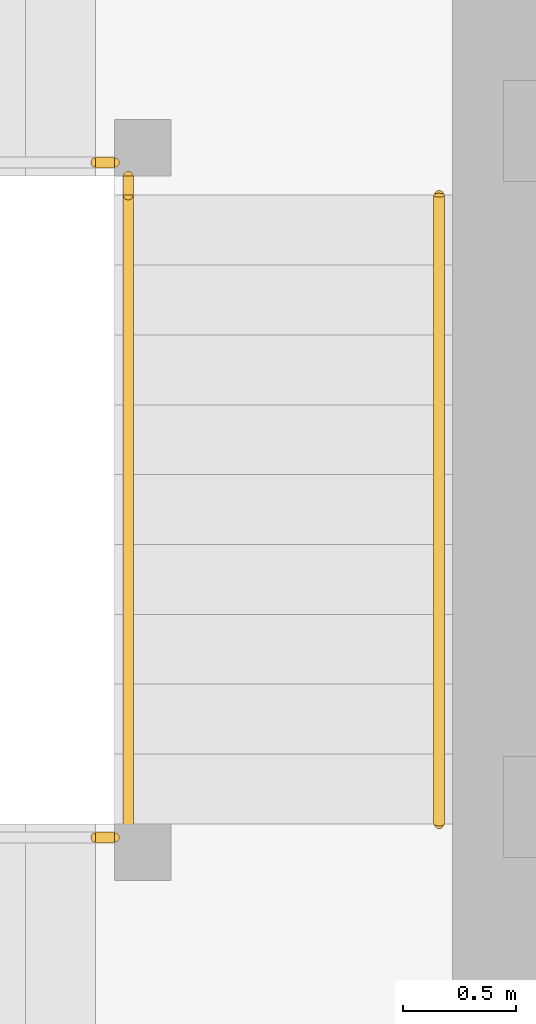
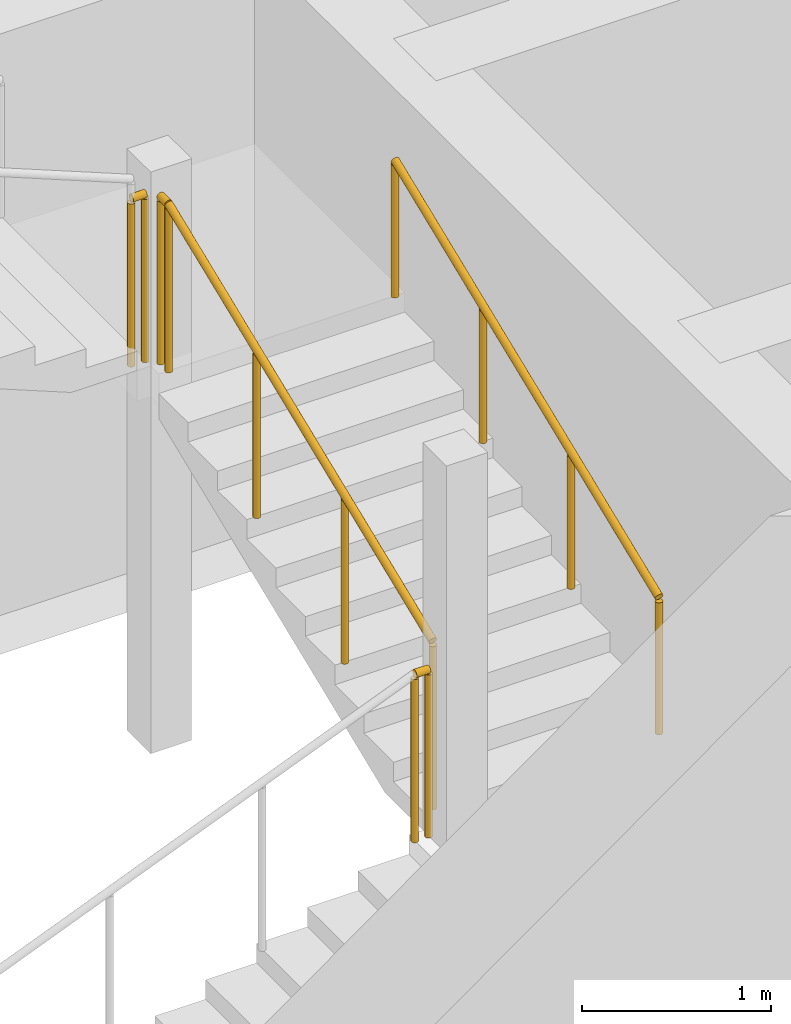
# One storey, part 34 of 38: 5 railings.
"""IFC4 building model written with IfcOpenShell, lengths in metres."""

from ifc_helpers import new_model, si_unit, direction, frame, origin, origin_2d, place, context, subcontext, project, spatial, circle, extrude, material, type_object, element, save


model = new_model("IFC4")

# Units and contexts
model_context = context("Model", 3, precision=1e-05, world=origin(), true_north=direction((0.0, 1.0)))
body_context = subcontext(model_context, "Body", "Model", "MODEL_VIEW")
ifc_project = project(units=[si_unit("LENGTHUNIT", "METRE"), si_unit("AREAUNIT", "SQUARE_METRE"), si_unit("VOLUMEUNIT", "CUBIC_METRE"), si_unit("PLANEANGLEUNIT", "RADIAN"), si_unit("MASSUNIT", "GRAM", prefix="KILO")], contexts=[model_context])

# Site, building, storey
site_placement = place(None, origin())
site = spatial("IfcSite", under=ifc_project, at=site_placement, CompositionType="ELEMENT")
building_placement = place(site_placement, origin())
building = spatial("IfcBuilding", under=site, at=building_placement, Name="Rekha Terrace Tower", CompositionType="ELEMENT")
storey_placement = place(building_placement, frame((0.0, 0.0, 198.949951171875)))
storey = spatial("IfcBuildingStorey", under=building, at=storey_placement, Name="L50", CompositionType="ELEMENT", Elevation=198.949951171875)

# Railings
ifc_material_1 = material(Name="Stainless steel balustrade", Category="steel")
railing_type_1 = type_object("IfcRailingType", Name="GR1 1100 stair guard", PredefinedType="GUARDRAIL", material=ifc_material_1)
railing_1_placement = place(storey_placement, frame((30.135009765625, 41.324951171875, 1.375)))
element("IfcRailing", 1, at=railing_1_placement, inside=storey, type_object=railing_type_1, Name="Guard ST4 L50 flight 2", PredefinedType="GUARDRAIL", context=body_context, shape_type="SweptSolid", body=[
    extrude(circle(Radius=0.02392578125, at=origin_2d()), frame((0.0, 0.0, 1.076171875), z_axis=(0.0, 0.927443287984, 0.373963831907), x_axis=(-1.0, 0.0, 0.0)), (0.0, 0.0, 1.0), 3.00830078125),
    extrude(circle(Radius=0.02099609375, at=origin_2d()), origin(), (0.0, 0.0, 1.0), 1.052001953125),
    extrude(circle(Radius=0.02099609375, at=origin_2d()), frame((0.0, 0.929931640625, 0.375)), (0.0, 0.0, 1.0), 1.052001953125),
    extrude(circle(Radius=0.02099609375, at=origin_2d()), frame((0.0, 1.860107421875, 0.75)), (0.0, 0.0, 1.0), 1.052001953125),
    extrude(circle(Radius=0.02099609375, at=origin_2d()), frame((0.0, 2.7900390625, 1.125)), (0.0, 0.0, 1.0), 1.052001953125),
])
railing_2_placement = place(storey_placement, frame((29.989990234375, 41.264892578125, 1.25)))
element("IfcRailing", 2, at=railing_2_placement, inside=storey, type_object=railing_type_1, Name="Guard ST4 L50 landing 1", PredefinedType="GUARDRAIL", context=body_context, shape_type="SweptSolid", body=[
    extrude(circle(Radius=0.02392578125, at=origin_2d()), frame((0.0, 0.0, 1.076171875), z_axis=(1.0, 0.0, 0.0), x_axis=(0.0, 1.0, 0.0)), (0.0, 0.0, 1.0), 0.0849609375),
    extrude(circle(Radius=0.02099609375, at=origin_2d()), origin(), (0.0, 0.0, 1.0), 1.052001953125),
    extrude(circle(Radius=0.02099609375, at=origin_2d()), frame((0.0849609375, 0.0, 0.0)), (0.0, 0.0, 1.0), 1.052001953125),
])
railing_3_placement = place(storey_placement, frame((30.135009765625, 44.114990234375, 2.5)))
element("IfcRailing", 3, at=railing_3_placement, inside=storey, type_object=railing_type_1, Name="Guard ST4 L50 landing 2", PredefinedType="GUARDRAIL", context=body_context, shape_type="SweptSolid", body=[
    extrude(circle(Radius=0.02392578125, at=origin_2d()), frame((0.0, 0.0, 1.076171875), z_axis=(0.0, 1.0, 0.0), x_axis=(-1.0, 0.0, 0.0)), (0.0, 0.0, 1.0), 0.0849609375),
    extrude(circle(Radius=0.02099609375, at=origin_2d()), origin(), (0.0, 0.0, 1.0), 1.052001953125),
    extrude(circle(Radius=0.02099609375, at=origin_2d()), frame((0.0, 0.0849609375, 0.0)), (0.0, 0.0, 1.0), 1.052001953125),
])
railing_4_placement = place(storey_placement, frame((29.989990234375, 44.260009765625, 2.5)))
element("IfcRailing", 4, at=railing_4_placement, inside=storey, type_object=railing_type_1, Name="Guard ST4 L50 landing 3", PredefinedType="GUARDRAIL", context=body_context, shape_type="SweptSolid", body=[
    extrude(circle(Radius=0.02392578125, at=origin_2d()), frame((0.0, 0.0, 1.076171875), z_axis=(1.0, 0.0, 0.0), x_axis=(0.0, 1.0, 0.0)), (0.0, 0.0, 1.0), 0.0849609375),
    extrude(circle(Radius=0.02099609375, at=origin_2d()), origin(), (0.0, 0.0, 1.0), 1.052001953125),
    extrude(circle(Radius=0.02099609375, at=origin_2d()), frame((0.0849609375, 0.0, 0.0)), (0.0, 0.0, 1.0), 1.052001953125),
])
ifc_material_2 = material(Name="Stainless steel tube", Category="steel")
railing_type_2 = type_object("IfcRailingType", Name="HR1 900 stair handrail", PredefinedType="HANDRAIL", material=ifc_material_2)
railing_5_placement = place(storey_placement, frame((31.514892578125, 41.324951171875, 1.375)))
element("IfcRailing", 5, at=railing_5_placement, inside=storey, type_object=railing_type_2, Name="Handrail ST4 L50 flight 2", PredefinedType="HANDRAIL", context=body_context, shape_type="SweptSolid", body=[
    extrude(circle(Radius=0.02392578125, at=origin_2d()), frame((0.0, 0.0, 0.8759765625), z_axis=(0.0, 0.927443287984, 0.373963831907), x_axis=(-1.0, 0.0, 0.0)), (0.0, 0.0, 1.0), 3.00830078125),
    extrude(circle(Radius=0.02099609375, at=origin_2d()), origin(), (0.0, 0.0, 1.0), 0.851806640625),
    extrude(circle(Radius=0.02099609375, at=origin_2d()), frame((0.0, 0.929931640625, 0.375)), (0.0, 0.0, 1.0), 0.851806640625),
    extrude(circle(Radius=0.02099609375, at=origin_2d()), frame((0.0, 1.860107421875, 0.75)), (0.0, 0.0, 1.0), 0.851806640625),
    extrude(circle(Radius=0.02099609375, at=origin_2d()), frame((0.0, 2.7900390625, 1.125)), (0.0, 0.0, 1.0), 0.851806640625),
])

save(model, "model.ifc")
